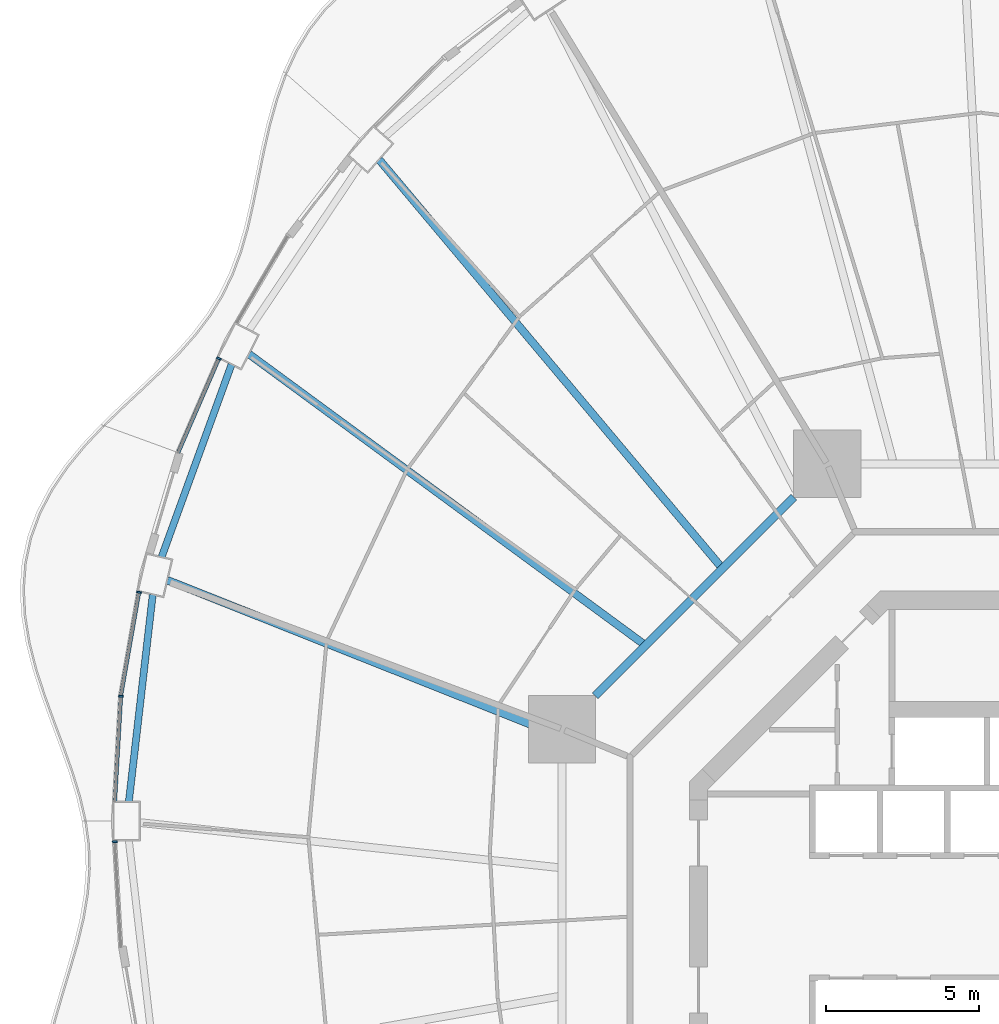
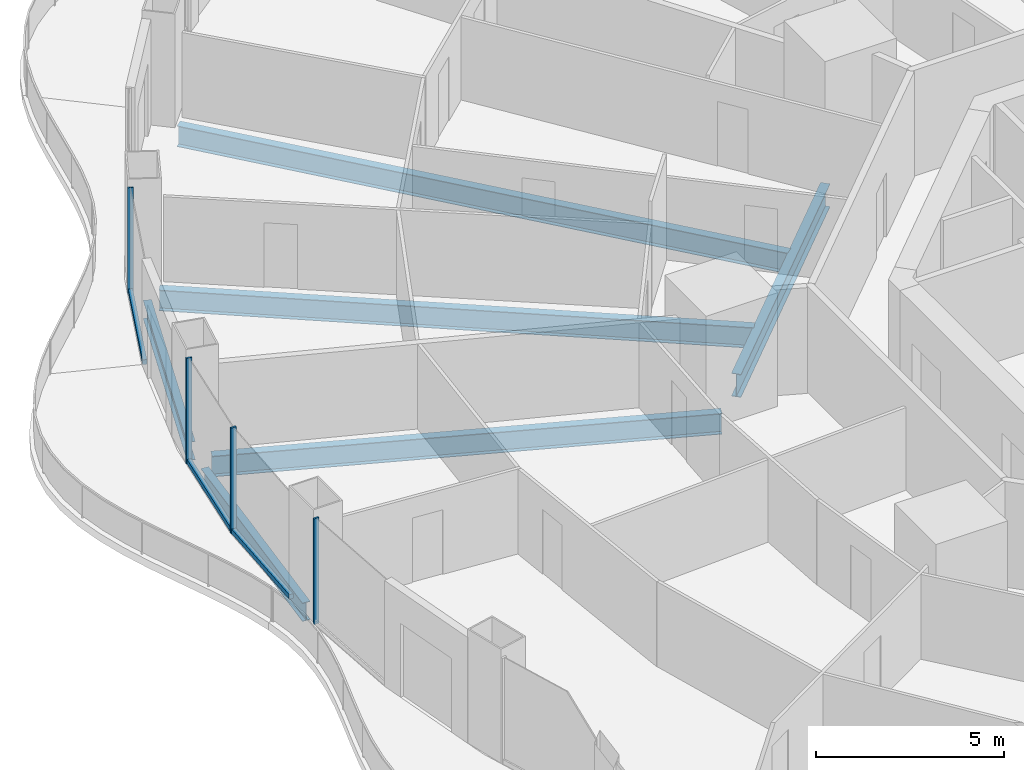
# One storey, part 7 of 24: 7 members, 6 beams, 4 elements without a shape of their own.
"""IFC4 building model written with IfcOpenShell, lengths in metres."""

from ifc_helpers import new_model, si_unit, direction, frame, origin, origin_2d, place, context, subcontext, project, spatial, rectangle, i_section, extrude, material, layer, layer_set, material_profile, profile_set, type_object, element, aggregate, save


model = new_model("IFC4")

# Units and contexts
model_context = context("Model", 3, precision=1e-05, world=origin(), true_north=direction((0.0, 1.0)))
body_context = subcontext(model_context, "Body", "Model", "MODEL_VIEW")
ifc_project = project(units=[si_unit("LENGTHUNIT", "METRE"), si_unit("AREAUNIT", "SQUARE_METRE"), si_unit("VOLUMEUNIT", "CUBIC_METRE"), si_unit("PLANEANGLEUNIT", "RADIAN"), si_unit("MASSUNIT", "GRAM", prefix="KILO")], contexts=[model_context])

# Site, building, storey
site_placement = place(None, origin())
site = spatial("IfcSite", under=ifc_project, at=site_placement, CompositionType="ELEMENT")
building_placement = place(site_placement, origin())
building = spatial("IfcBuilding", under=site, at=building_placement, Name="Nagisa Residences", CompositionType="ELEMENT")
storey_placement = place(building_placement, frame((0.0, 0.0, 102.89990234375)))
storey = spatial("IfcBuildingStorey", under=building, at=storey_placement, Name="L25", CompositionType="ELEMENT", Elevation=102.89990234375)

# Curtain wall, member
ifc_material_1 = material(Name="Concrete-coloured aluminium curtain wall system", Category="concrete")
ifc_layer = layer(ifc_material_1, 0.159912109375)
ifc_layer_set = layer_set([ifc_layer], Name="CW1 CURTAIN WALL")
curtain_wall_type = type_object("IfcCurtainWallType", Name="CW1 CURTAIN WALL", PredefinedType="NOTDEFINED", material=ifc_layer_set)
curtain_wall_1_placement = place(storey_placement, origin())
curtain_wall_1 = element("IfcCurtainWall", 1, at=curtain_wall_1_placement, inside=storey, type_object=curtain_wall_type, Name="cw:CW1:L25:20", PredefinedType="NOTDEFINED")
ifc_material_2 = material(Name="Concrete-coloured aluminium", Category="concrete")
ifc_material_profile_1 = material_profile(ifc_material_2, rectangle(XDim=0.159912109375, YDim=0.06005859375, at=origin_2d()), Name="CW1 MULLION 160x60")
ifc_profile_set_1 = profile_set([ifc_material_profile_1], Name="Concrete-coloured aluminium")
member_type_1 = type_object("IfcMemberType", Name="CW1 MULLION 160x60", PredefinedType="MULLION", material=ifc_profile_set_1)
member_1_placement = place(storey_placement, frame((-25.9814453125, 18.219482421875, 0.0), z_axis=(0.0, 0.0, 1.0), x_axis=(0.917543276295, -0.397635934147, 0.0)))
member_1 = element("IfcMember", 2, at=member_1_placement, type_object=member_type_1, Name="CW1 mullion", PredefinedType="MULLION", context=body_context, shape_type="SweptSolid", body=[
    extrude(rectangle(XDim=0.159912109375, YDim=0.06005859375, at=origin_2d()), origin(), (0.0, 0.0, 1.0), 3.440185546875),
])

curtain_wall_2_placement = place(storey_placement, origin())
curtain_wall_2 = element("IfcCurtainWall", 3, at=curtain_wall_2_placement, inside=storey, type_object=curtain_wall_type, Name="cw:CW1:L25:22", PredefinedType="NOTDEFINED")
member_2_placement = place(storey_placement, frame((-28.589599609375, 10.5908203125, 0.0), z_axis=(0.0, 0.0, 1.0), x_axis=(0.985063604377, -0.172190868898, 0.0)))
member_2 = element("IfcMember", 4, at=member_2_placement, type_object=member_type_1, Name="CW1 mullion", PredefinedType="MULLION", context=body_context, shape_type="SweptSolid", body=[
    extrude(rectangle(XDim=0.159912109375, YDim=0.06005859375, at=origin_2d()), origin(), (0.0, 0.0, 1.0), 3.440185546875),
])

curtain_wall_3_placement = place(storey_placement, origin())
curtain_wall_3 = element("IfcCurtainWall", 5, at=curtain_wall_3_placement, inside=storey, type_object=curtain_wall_type, Name="cw:CW1:L25:23", PredefinedType="NOTDEFINED")
member_3_placement = place(storey_placement, frame((-29.179931640625, 7.19677734375, 0.0), z_axis=(0.0, 0.0, 1.0), x_axis=(0.998345305184, -0.057503492216, 0.0)))
member_3 = element("IfcMember", 6, at=member_3_placement, type_object=member_type_1, Name="CW1 mullion", PredefinedType="MULLION", context=body_context, shape_type="SweptSolid", body=[
    extrude(rectangle(XDim=0.159912109375, YDim=0.06005859375, at=origin_2d()), origin(), (0.0, 0.0, 1.0), 3.440185546875),
])

curtain_wall_4_placement = place(storey_placement, origin())
curtain_wall_4 = element("IfcCurtainWall", 7, at=curtain_wall_4_placement, inside=storey, type_object=curtain_wall_type, Name="cw:CW1:L25:24", PredefinedType="NOTDEFINED")
member_4_placement = place(storey_placement, frame((-29.3759765625, 2.443359375, 0.0), z_axis=(0.0, 0.0, 1.0), x_axis=(0.998345305184, 0.057503492216, 0.0)))
member_4 = element("IfcMember", 8, at=member_4_placement, type_object=member_type_1, Name="CW1 mullion", PredefinedType="MULLION", context=body_context, shape_type="SweptSolid", body=[
    extrude(rectangle(XDim=0.159912109375, YDim=0.06005859375, at=origin_2d()), origin(), (0.0, 0.0, 1.0), 3.440185546875),
])
aggregate(curtain_wall_4, [member_4])

# Member
ifc_material_3 = material(Name="Concrete-coloured aluminium", Category="concrete")
ifc_material_profile_2 = material_profile(ifc_material_3, rectangle(XDim=0.1201171875, YDim=0.14990234375, at=origin_2d()), Name="CW1 TRANSOM 120x150")
ifc_profile_set_2 = profile_set([ifc_material_profile_2], Name="Concrete-coloured aluminium")
member_type_2 = type_object("IfcMemberType", Name="CW1 TRANSOM 120x150", PredefinedType="USERDEFINED", material=ifc_profile_set_2)
member_5_placement = place(storey_placement, frame((-25.9697265625, 18.2470703125, 0.0751953125), z_axis=(-0.397621629246, -0.917549475481, 0.0), x_axis=(0.917549475481, -0.397621629246, 0.0)))
member_5 = element("IfcMember", 9, at=member_5_placement, type_object=member_type_2, Name="CW1 transom", ObjectType="TRANSOM", PredefinedType="USERDEFINED", context=body_context, shape_type="SweptSolid", body=[
    extrude(rectangle(XDim=0.1201171875, YDim=0.14990234375, at=origin_2d()), origin(), (0.0, 0.0, 1.0), 3.37939453125),
])

aggregate(curtain_wall_1, [member_1, member_5])

member_6_placement = place(storey_placement, frame((-28.58447265625, 10.620361328125, 0.0751953125), z_axis=(-0.172164316671, -0.985068245385, 0.0), x_axis=(0.985068245385, -0.172164316671, 0.0)))
member_6 = element("IfcMember", 10, at=member_6_placement, type_object=member_type_2, Name="CW1 transom", ObjectType="TRANSOM", PredefinedType="USERDEFINED", context=body_context, shape_type="SweptSolid", body=[
    extrude(rectangle(XDim=0.1201171875, YDim=0.14990234375, at=origin_2d()), origin(), (0.0, 0.0, 1.0), 3.454345703125),
])

aggregate(curtain_wall_2, [member_2, member_6])

member_7_placement = place(storey_placement, frame((-29.17822265625, 7.2265625, 0.0751953125), z_axis=(-0.057476526179, -0.99834685803, 0.0), x_axis=(0.99834685803, -0.057476526179, 0.0)))
member_7 = element("IfcMember", 11, at=member_7_placement, type_object=member_type_2, Name="CW1 transom", ObjectType="TRANSOM", PredefinedType="USERDEFINED", context=body_context, shape_type="SweptSolid", body=[
    extrude(rectangle(XDim=0.1201171875, YDim=0.14990234375, at=origin_2d()), origin(), (0.0, 0.0, 1.0), 3.47021484375),
])

aggregate(curtain_wall_3, [member_3, member_7])

# Beams
ifc_material_4 = material(Name="Steel ASTM A572 Gr 50", Category="steel")
ifc_material_profile_3 = material_profile(ifc_material_4, i_section(OverallWidth=0.264892578125, OverallDepth=0.7529296875, WebThickness=0.01318359375, FlangeThickness=0.01708984375, at=origin_2d()), Name="W760x147")
ifc_profile_set_3 = profile_set([ifc_material_profile_3], Name="Steel ASTM A572 Gr 50")
beam_type_1 = type_object("IfcBeamType", Name="Inner ring beam W760x147", PredefinedType="BEAM", material=ifc_profile_set_3)
beam_1_placement = place(storey_placement, frame((-7.208740234375, 13.6962890625, -0.636474609375), z_axis=(-0.707106781187, -0.707106781187, 0.0), x_axis=(0.707106781187, -0.707106781187, 0.0)))
element("IfcBeam", 12, at=beam_1_placement, inside=storey, type_object=beam_type_1, Name="beam:L25:ib3", PredefinedType="BEAM", context=body_context, shape_type="SweptSolid", body=[
    extrude(i_section(OverallWidth=0.264892578125, OverallDepth=0.7529296875, WebThickness=0.01318359375, FlangeThickness=0.01708984375, at=origin_2d()), origin(), (0.0, 0.0, 1.0), 9.1748046875),
])
ifc_material_5 = material(Name="Steel ASTM A572 Gr 50", Category="steel")
ifc_material_profile_4 = material_profile(ifc_material_5, i_section(OverallWidth=0.22802734375, OverallDepth=0.60302734375, WebThickness=0.010498046875, FlangeThickness=0.014892578125, at=origin_2d()), Name="W610x101")
ifc_profile_set_4 = profile_set([ifc_material_profile_4], Name="Steel ASTM A572 Gr 50")
beam_type_2 = type_object("IfcBeamType", Name="Perimeter ring beam W610x101", PredefinedType="BEAM", material=ifc_profile_set_4)
beam_2_placement = place(storey_placement, frame((-25.568359375, 18.028564453125, -0.5615234375), z_axis=(-0.341365002286, -0.939930814057, 0.0), x_axis=(0.939930814057, -0.341365002286, 0.0)))
element("IfcBeam", 13, at=beam_2_placement, inside=storey, type_object=beam_type_2, Name="beam:L25:pb11", PredefinedType="BEAM", context=body_context, shape_type="SweptSolid", body=[
    extrude(i_section(OverallWidth=0.22802734375, OverallDepth=0.60302734375, WebThickness=0.010498046875, FlangeThickness=0.014892578125, at=origin_2d()), origin(), (0.0, 0.0, 1.0), 6.689208984375),
])
beam_3_placement = place(storey_placement, frame((-28.14111328125, 10.5146484375, -0.5615234375), z_axis=(-0.114690766503, -0.993401242237, 0.0), x_axis=(0.993401242237, -0.114690766503, 0.0)))
element("IfcBeam", 14, at=beam_3_placement, inside=storey, type_object=beam_type_2, Name="beam:L25:pb12", PredefinedType="BEAM", context=body_context, shape_type="SweptSolid", body=[
    extrude(i_section(OverallWidth=0.22802734375, OverallDepth=0.60302734375, WebThickness=0.010498046875, FlangeThickness=0.014892578125, at=origin_2d()), origin(), (0.0, 0.0, 1.0), 6.811767578125),
])
ifc_material_6 = material(Name="Steel ASTM A572 Gr 50", Category="steel")
ifc_material_profile_5 = material_profile(ifc_material_6, i_section(OverallWidth=0.2529296875, OverallDepth=0.677978515625, WebThickness=0.01171875, FlangeThickness=0.016357421875, at=origin_2d()), Name="W690x125")
ifc_profile_set_5 = profile_set([ifc_material_profile_5], Name="Steel ASTM A572 Gr 50")
beam_type_3 = type_object("IfcBeamType", Name="Radial beam W690x125", PredefinedType="BEAM", material=ifc_profile_set_5)
beam_4_placement = place(storey_placement, frame((-20.75, 24.71533203125, -0.598876953125), z_axis=(0.642994706096, -0.765870620884, 0.0), x_axis=(0.765870620884, 0.642994706096, 0.0)))
element("IfcBeam", 15, at=beam_4_placement, inside=storey, type_object=beam_type_3, Name="beam:L25:rb10", PredefinedType="BEAM", context=body_context, shape_type="SweptSolid", body=[
    extrude(i_section(OverallWidth=0.2529296875, OverallDepth=0.677978515625, WebThickness=0.01171875, FlangeThickness=0.016357421875, at=origin_2d()), origin(), (0.0, 0.0, 1.0), 17.319580078125),
])
beam_5_placement = place(storey_placement, frame((-25.0, 18.366943359375, -0.598876953125), z_axis=(0.805892392895, -0.59206203313, 0.0), x_axis=(0.59206203313, 0.805892392895, 0.0)))
element("IfcBeam", 16, at=beam_5_placement, inside=storey, type_object=beam_type_3, Name="beam:L25:rb11", PredefinedType="BEAM", context=body_context, shape_type="SweptSolid", body=[
    extrude(i_section(OverallWidth=0.2529296875, OverallDepth=0.677978515625, WebThickness=0.01171875, FlangeThickness=0.016357421875, at=origin_2d()), origin(), (0.0, 0.0, 1.0), 15.95361328125),
])
beam_6_placement = place(storey_placement, frame((-27.6640625, 10.984375, -0.598876953125), z_axis=(0.929418643834, -0.369027078267, 0.0), x_axis=(0.369027078267, 0.929418643834, 0.0)))
element("IfcBeam", 17, at=beam_6_placement, inside=storey, type_object=beam_type_3, Name="beam:L25:rb12", PredefinedType="BEAM", context=body_context, shape_type="SweptSolid", body=[
    extrude(i_section(OverallWidth=0.2529296875, OverallDepth=0.677978515625, WebThickness=0.01171875, FlangeThickness=0.016357421875, at=origin_2d()), origin(), (0.0, 0.0, 1.0), 13.73779296875),
])

save(model, "model.ifc")
